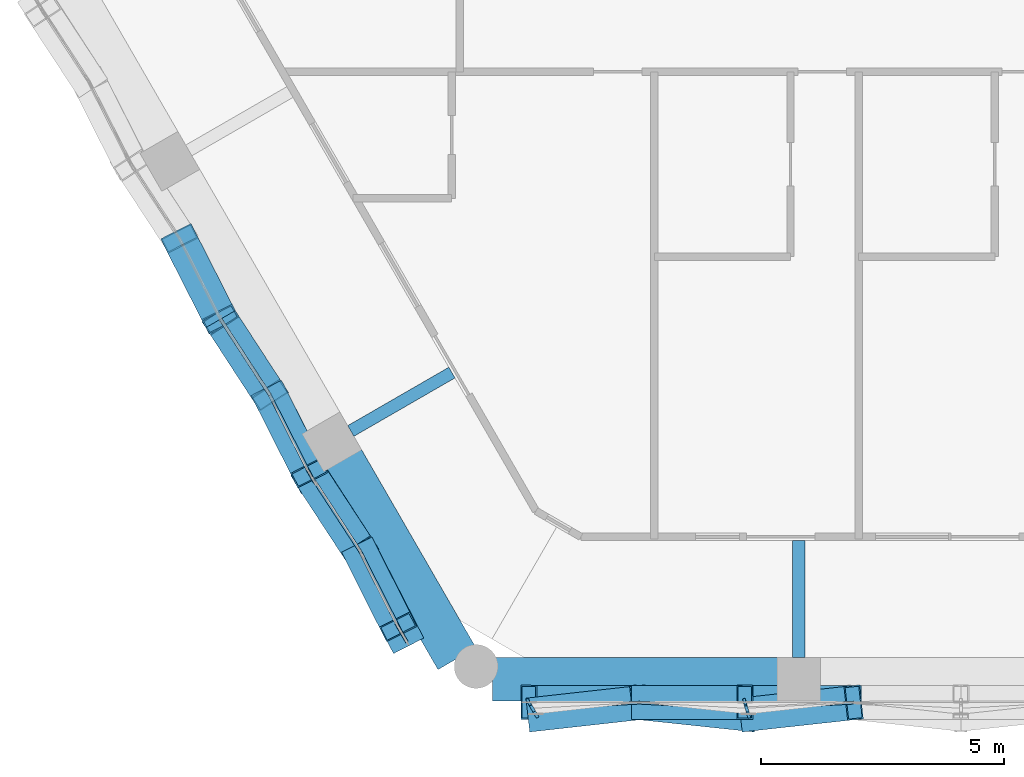
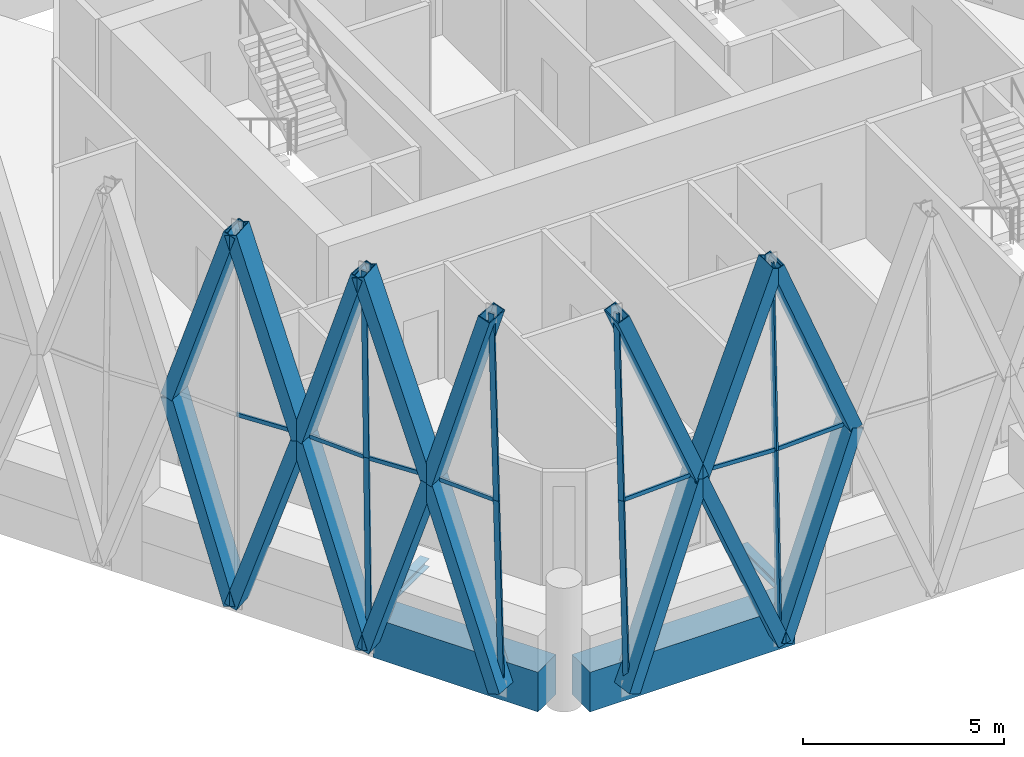
# One storey, part 2 of 22: 31 members, 4 beams, 4 elements without a shape of their own.
"""IFC4 building model written with IfcOpenShell, lengths in metres."""

from ifc_helpers import new_model, si_unit, direction, frame, origin, origin_2d, place, context, subcontext, project, spatial, rectangle, hollow_rectangle, i_section, extrude, material, material_profile, profile_set, type_object, element, aggregate, save


model = new_model("IFC4")

# Units and contexts
model_context = context("Model", 3, precision=1e-05, world=origin(), true_north=direction((0.0, 1.0)))
body_context = subcontext(model_context, "Body", "Model", "MODEL_VIEW")
ifc_project = project(units=[si_unit("LENGTHUNIT", "METRE"), si_unit("AREAUNIT", "SQUARE_METRE"), si_unit("VOLUMEUNIT", "CUBIC_METRE"), si_unit("PLANEANGLEUNIT", "RADIAN"), si_unit("MASSUNIT", "GRAM", prefix="KILO")], contexts=[model_context])

# Site, building, storey
site_placement = place(None, origin())
site = spatial("IfcSite", under=ifc_project, at=site_placement, CompositionType="ELEMENT")
building_placement = place(site_placement, origin())
building = spatial("IfcBuilding", under=site, at=building_placement, Name="Ostrander Bayou Hotel Tower", CompositionType="ELEMENT")
storey_placement = place(building_placement, frame((0.0, 0.0, 245.0)))
storey = spatial("IfcBuildingStorey", under=building, at=storey_placement, Name="L60", CompositionType="ELEMENT", Elevation=245.0)

# Curtain wall, members
ifc_material_1 = material(Name="Aluminium and clear glass", Category="aluminium")
curtain_wall_type = type_object("IfcCurtainWallType", Name="CW-LAT lattice glazing", PredefinedType="NOTDEFINED", material=ifc_material_1)
curtain_wall_1_placement = place(storey_placement, origin())
curtain_wall_1 = element("IfcCurtainWall", 1, at=curtain_wall_1_placement, inside=storey, type_object=curtain_wall_type, Name="CW-LAT L60 SW 1", PredefinedType="NOTDEFINED")
ifc_material_2 = material(Name="Aluminium", Category="aluminium")
ifc_material_profile_1 = material_profile(ifc_material_2, hollow_rectangle(XDim=0.06005859375, YDim=0.159912109375, WallThickness=0.00390625, at=origin_2d()))
ifc_profile_set_1 = profile_set([ifc_material_profile_1], Name="Aluminium")
member_type_1 = type_object("IfcMemberType", Name="CW-LA mullion 60 x 160 mm", PredefinedType="MULLION", material=ifc_profile_set_1)
member_1_placement = place(storey_placement, frame((-13.320068359375, -12.069091796875, -0.60009765625), z_axis=(-0.00629290177, 0.010936629283, 0.999920391595), x_axis=(-0.866757633554, -0.498729590736, 0.0)))
member_1 = element("IfcMember", 2, at=member_1_placement, type_object=member_type_1, Name="CW-LAT mullion 12", PredefinedType="MULLION", context=body_context, shape_type="SweptSolid", body=[
    extrude(hollow_rectangle(XDim=0.06005859375, YDim=0.159912109375, WallThickness=0.00390625, at=origin_2d()), origin(), (0.0, 0.0, 1.0), 5.62548828125),
])
member_2_placement = place(storey_placement, frame((-13.35546875, -12.007568359375, 5.02490234375), z_axis=(-0.006292904751, 0.010893235121, 0.999920865258), x_axis=(-0.865898279276, -0.500220121494, 0.0)))
member_2 = element("IfcMember", 3, at=member_2_placement, type_object=member_type_1, Name="CW-LAT mullion 13", PredefinedType="MULLION", context=body_context, shape_type="SweptSolid", body=[
    extrude(hollow_rectangle(XDim=0.06005859375, YDim=0.159912109375, WallThickness=0.00390625, at=origin_2d()), origin(), (0.0, 0.0, 1.0), 5.62548828125),
])
member_3_placement = place(storey_placement, frame((-11.424072265625, -15.35302734375, -0.60009765625), z_axis=(-0.012582810856, 0.021824668484, 0.999682627996), x_axis=(-0.866328918095, -0.499473928922, 0.0)))
member_3 = element("IfcMember", 4, at=member_3_placement, type_object=member_type_1, Name="CW-LAT mullion 16", PredefinedType="MULLION", context=body_context, shape_type="SweptSolid", body=[
    extrude(hollow_rectangle(XDim=0.06005859375, YDim=0.159912109375, WallThickness=0.00390625, at=origin_2d()), origin(), (0.0, 0.0, 1.0), 5.626708984375),
])
member_4_placement = place(storey_placement, frame((-11.494873046875, -15.230224609375, 5.02490234375), z_axis=(-0.012626192954, 0.021824656549, 0.999682081273), x_axis=(-0.865583332221, -0.500764909893, 0.0)))
member_4 = element("IfcMember", 5, at=member_4_placement, type_object=member_type_1, Name="CW-LAT mullion 17", PredefinedType="MULLION", context=body_context, shape_type="SweptSolid", body=[
    extrude(hollow_rectangle(XDim=0.06005859375, YDim=0.159912109375, WallThickness=0.00390625, at=origin_2d()), origin(), (0.0, 0.0, 1.0), 5.626708984375),
])
aggregate(curtain_wall_1, [member_1, member_2, member_3, member_4])

curtain_wall_2_placement = place(storey_placement, origin())
curtain_wall_2 = element("IfcCurtainWall", 6, at=curtain_wall_2_placement, inside=storey, type_object=curtain_wall_type, Name="CW-LAT L60 S 1", PredefinedType="NOTDEFINED")
member_5_placement = place(storey_placement, frame((-8.73681640625, -16.904541015625, -0.60009765625), z_axis=(-0.012582810856, 0.021824668484, 0.999682627996), x_axis=(-0.866328918095, -0.499473928922, 0.0)))
member_5 = element("IfcMember", 7, at=member_5_placement, type_object=member_type_1, Name="CW-LAT mullion 1", PredefinedType="MULLION", context=body_context, shape_type="SweptSolid", body=[
    extrude(hollow_rectangle(XDim=0.06005859375, YDim=0.159912109375, WallThickness=0.00390625, at=origin_2d()), origin(), (0.0, 0.0, 1.0), 5.626708984375),
])
member_6_placement = place(storey_placement, frame((-8.8076171875, -16.78173828125, 5.02490234375), z_axis=(-0.012582810856, 0.021824668484, 0.999682627996), x_axis=(-0.866328918095, -0.499473928922, 0.0)))
member_6 = element("IfcMember", 8, at=member_6_placement, type_object=member_type_1, Name="CW-LAT mullion 2", PredefinedType="MULLION", context=body_context, shape_type="SweptSolid", body=[
    extrude(hollow_rectangle(XDim=0.06005859375, YDim=0.159912109375, WallThickness=0.00390625, at=origin_2d()), origin(), (0.0, 0.0, 1.0), 5.626708984375),
])
member_7_placement = place(storey_placement, frame((-4.368408203125, -16.904541015625, -0.60009765625), z_axis=(-0.006291778999, 0.021825964389, 0.999741987112), x_axis=(-0.960872490948, -0.276991075919, 0.0)))
member_7 = element("IfcMember", 9, at=member_7_placement, type_object=member_type_1, Name="CW-LAT mullion 4", PredefinedType="MULLION", context=body_context, shape_type="SweptSolid", body=[
    extrude(hollow_rectangle(XDim=0.06005859375, YDim=0.159912109375, WallThickness=0.00390625, at=origin_2d()), origin(), (0.0, 0.0, 1.0), 5.62646484375),
])
member_8_placement = place(storey_placement, frame((-4.40380859375, -16.78173828125, 5.02490234375), z_axis=(-0.006291778999, 0.021825964389, 0.999741987112), x_axis=(-0.960872490948, -0.276991075919, 0.0)))
member_8 = element("IfcMember", 10, at=member_8_placement, type_object=member_type_1, Name="CW-LAT mullion 5", PredefinedType="MULLION", context=body_context, shape_type="SweptSolid", body=[
    extrude(hollow_rectangle(XDim=0.06005859375, YDim=0.159912109375, WallThickness=0.00390625, at=origin_2d()), origin(), (0.0, 0.0, 1.0), 5.62646484375),
])
aggregate(curtain_wall_2, [member_5, member_6, member_7, member_8])

curtain_wall_3_placement = place(storey_placement, origin())
curtain_wall_3 = element("IfcCurtainWall", 11, at=curtain_wall_3_placement, inside=storey, type_object=curtain_wall_type, Name="CW-LAT L60 SW 2", PredefinedType="NOTDEFINED")
ifc_material_3 = material(Name="Aluminium", Category="aluminium")
ifc_material_profile_2 = material_profile(ifc_material_3, hollow_rectangle(XDim=0.06005859375, YDim=0.1201171875, WallThickness=0.00390625, at=origin_2d()))
ifc_profile_set_2 = profile_set([ifc_material_profile_2], Name="Aluminium")
member_type_2 = type_object("IfcMemberType", Name="CW-LA transom 60 x 120 mm", PredefinedType="USERDEFINED", material=ifc_profile_set_2)
member_9_placement = place(storey_placement, frame((-15.216064453125, -8.784912109375, 5.02490234375), z_axis=(0.545444198624, -0.838147138746, 0.0), x_axis=(0.838147138746, 0.545444198624, 0.0)))
member_9 = element("IfcMember", 12, at=member_9_placement, type_object=member_type_2, Name="CW-LAT transom 11", ObjectType="TRANSOM", PredefinedType="USERDEFINED", context=body_context, shape_type="SweptSolid", body=[
    extrude(hollow_rectangle(XDim=0.06005859375, YDim=0.1201171875, WallThickness=0.00390625, at=origin_2d()), origin(), (0.0, 0.0, 1.0), 1.86328125),
])
member_10_placement = place(storey_placement, frame((-13.35546875, -12.007568359375, 5.02490234375), z_axis=(-0.453126671976, 0.891446139228, 0.0), x_axis=(-0.891446139228, -0.453126671976, 0.0)))
member_10 = element("IfcMember", 13, at=member_10_placement, type_object=member_type_2, Name="CW-LAT transom 14", ObjectType="TRANSOM", PredefinedType="USERDEFINED", context=body_context, shape_type="SweptSolid", body=[
    extrude(hollow_rectangle(XDim=0.06005859375, YDim=0.1201171875, WallThickness=0.00390625, at=origin_2d()), origin(), (0.0, 0.0, 1.0), 1.863037109375),
])
member_11_placement = place(storey_placement, frame((-13.35546875, -12.007568359375, 5.02490234375), z_axis=(0.545504102111, -0.838108152078, 0.0), x_axis=(0.838108152078, 0.545504102111, 0.0)))
member_11 = element("IfcMember", 14, at=member_11_placement, type_object=member_type_2, Name="CW-LAT transom 15", ObjectType="TRANSOM", PredefinedType="USERDEFINED", context=body_context, shape_type="SweptSolid", body=[
    extrude(hollow_rectangle(XDim=0.06005859375, YDim=0.1201171875, WallThickness=0.00390625, at=origin_2d()), origin(), (0.0, 0.0, 1.0), 1.863037109375),
])
member_12_placement = place(storey_placement, frame((-11.494873046875, -15.230224609375, 5.02490234375), z_axis=(-0.453073746448, 0.89147303957, 0.0), x_axis=(-0.89147303957, -0.453073746448, 0.0)))
member_12 = element("IfcMember", 15, at=member_12_placement, type_object=member_type_2, Name="CW-LAT transom 18", ObjectType="TRANSOM", PredefinedType="USERDEFINED", context=body_context, shape_type="SweptSolid", body=[
    extrude(hollow_rectangle(XDim=0.06005859375, YDim=0.1201171875, WallThickness=0.00390625, at=origin_2d()), origin(), (0.0, 0.0, 1.0), 1.86328125),
])
aggregate(curtain_wall_3, [member_9, member_10, member_11, member_12])

curtain_wall_4_placement = place(storey_placement, origin())
curtain_wall_4 = element("IfcCurtainWall", 16, at=curtain_wall_4_placement, inside=storey, type_object=curtain_wall_type, Name="CW-LAT L60 S 2", PredefinedType="NOTDEFINED")
member_13_placement = place(storey_placement, frame((-8.8076171875, -16.78173828125, 5.02490234375), z_axis=(0.998650666784, 0.051931163402, 0.0), x_axis=(-0.051931163402, 0.998650666784, 0.0)))
member_13 = element("IfcMember", 17, at=member_13_placement, type_object=member_type_2, Name="CW-LAT transom 3", ObjectType="TRANSOM", PredefinedType="USERDEFINED", context=body_context, shape_type="SweptSolid", body=[
    extrude(hollow_rectangle(XDim=0.06005859375, YDim=0.1201171875, WallThickness=0.00390625, at=origin_2d()), origin(), (0.0, 0.0, 1.0), 2.204833984375),
])
member_14_placement = place(storey_placement, frame((-4.40380859375, -16.78173828125, 5.02490234375), z_axis=(-0.998650666784, 0.051931163402, 0.0), x_axis=(-0.051931163402, -0.998650666784, 0.0)))
member_14 = element("IfcMember", 18, at=member_14_placement, type_object=member_type_2, Name="CW-LAT transom 6", ObjectType="TRANSOM", PredefinedType="USERDEFINED", context=body_context, shape_type="SweptSolid", body=[
    extrude(hollow_rectangle(XDim=0.06005859375, YDim=0.1201171875, WallThickness=0.00390625, at=origin_2d()), origin(), (0.0, 0.0, 1.0), 2.204833984375),
])
member_15_placement = place(storey_placement, frame((-4.40380859375, -16.78173828125, 5.02490234375), z_axis=(0.998650666784, 0.051931163402, 0.0), x_axis=(-0.051931163402, 0.998650666784, 0.0)))
member_15 = element("IfcMember", 19, at=member_15_placement, type_object=member_type_2, Name="CW-LAT transom 7", ObjectType="TRANSOM", PredefinedType="USERDEFINED", context=body_context, shape_type="SweptSolid", body=[
    extrude(hollow_rectangle(XDim=0.06005859375, YDim=0.1201171875, WallThickness=0.00390625, at=origin_2d()), origin(), (0.0, 0.0, 1.0), 2.204833984375),
])
aggregate(curtain_wall_4, [member_13, member_14, member_15])

# Beams
ifc_material_4 = material(Name="Steel ASTM A992", Category="steel")
ifc_material_profile_3 = material_profile(ifc_material_4, i_section(OverallWidth=0.25390625, OverallDepth=0.25341796875, WebThickness=0.008544921875, FlangeThickness=0.01416015625, at=origin_2d()))
ifc_profile_set_3 = profile_set([ifc_material_profile_3], Name="Steel ASTM A992")
beam_type_1 = type_object("IfcBeamType", Name="LB2 loggia bracket W10x49", PredefinedType="BEAM", material=ifc_profile_set_3)
beam_1_placement = place(storey_placement, frame((-12.5380859375, -11.083251953125, -0.4267578125), z_axis=(0.866024647952, 0.500001309137, 0.0), x_axis=(-0.500001309137, 0.866024647952, 0.0)))
element("IfcBeam", 20, at=beam_1_placement, inside=storey, type_object=beam_type_1, Name="LB2 L60 SW2", PredefinedType="BEAM", context=body_context, shape_type="SweptSolid", body=[
    extrude(i_section(OverallWidth=0.25390625, OverallDepth=0.25341796875, WebThickness=0.008544921875, FlangeThickness=0.01416015625, at=origin_2d()), origin(), (0.0, 0.0, 1.0), 2.39990234375),
])
beam_2_placement = place(storey_placement, frame((-3.329345703125, -15.734619140625, -0.4267578125), z_axis=(0.0, 1.0, 0.0), x_axis=(-1.0, 0.0, 0.0)))
element("IfcBeam", 21, at=beam_2_placement, inside=storey, type_object=beam_type_1, Name="LB2 L60 S1", PredefinedType="BEAM", context=body_context, shape_type="SweptSolid", body=[
    extrude(i_section(OverallWidth=0.25390625, OverallDepth=0.25341796875, WebThickness=0.008544921875, FlangeThickness=0.01416015625, at=origin_2d()), origin(), (0.0, 0.0, 1.0), 2.400146484375),
])

# Members
ifc_material_5 = material(Name="Steel ASTM A572 Gr 50", Category="steel")
ifc_material_profile_4 = material_profile(ifc_material_5, hollow_rectangle(XDim=0.699951171875, YDim=0.35009765625, WallThickness=0.02490234375, at=origin_2d()))
ifc_profile_set_4 = profile_set([ifc_material_profile_4], Name="Steel ASTM A572 Gr 50")
member_type_3 = type_object("IfcMemberType", Name="LT1 lattice member box 700 x 350 x 25 mm", PredefinedType="BRACE", material=ifc_profile_set_4)
for number, where, z_axis, x_axis, name in (
    (22, (-16.060302734375, -7.1240234375, 5.02490234375), (0.142474711453, -0.280293655875, -0.949282056647), (0.891446139228, 0.453126671976, 0.0), "LT1 L60 SW 7"),
    (23, (-16.060302734375, -7.1240234375, 5.02490234375), (0.142474711453, -0.280293655875, 0.949282056647), (0.891446139228, 0.453126671976, 0.0), "LT1 L60 SW 8"),
    (24, (-14.19970703125, -10.3466796875, 5.02490234375), (-0.17151977291, 0.263562812228, -0.949271094847), (-0.838147138746, -0.545444198624, 0.0), "LT1 L60 SW 9"),
    (25, (-14.19970703125, -10.3466796875, 5.02490234375), (-0.17151977291, 0.263562812228, 0.949271094847), (-0.838147138746, -0.545444198624, 0.0), "LT1 L60 SW 10"),
):
    element("IfcMember", number, at=place(storey_placement, frame(where, z_axis=z_axis, x_axis=x_axis)), inside=storey, type_object=member_type_3, Name=name, PredefinedType="BRACE", context=body_context, shape_type="SweptSolid", body=[
        extrude(hollow_rectangle(XDim=0.699951171875, YDim=0.35009765625, WallThickness=0.02490234375, at=origin_2d()), origin(), (0.0, 0.0, 1.0), 5.925537109375),
    ])
member_16_placement = place(storey_placement, frame((-14.19970703125, -10.3466796875, 5.02490234375), z_axis=(0.147883150311, -0.2895685888, -0.945664108568), x_axis=(0.890582419243, 0.454821893201, 0.0)))
element("IfcMember", 26, at=member_16_placement, inside=storey, type_object=member_type_3, Name="LT1 L60 SW 11", PredefinedType="BRACE", context=body_context, shape_type="SweptSolid", body=[
    extrude(hollow_rectangle(XDim=0.699951171875, YDim=0.35009765625, WallThickness=0.02490234375, at=origin_2d()), origin(), (0.0, 0.0, 1.0), 5.9482421875),
])
member_17_placement = place(storey_placement, frame((-14.19970703125, -10.3466796875, 5.02490234375), z_axis=(0.137005406206, -0.270950625253, 0.952793407484), x_axis=(0.892402299809, 0.451240662281, 0.0)))
element("IfcMember", 27, at=member_17_placement, inside=storey, type_object=member_type_3, Name="LT1 L60 SW 12", PredefinedType="BRACE", context=body_context, shape_type="SweptSolid", body=[
    extrude(hollow_rectangle(XDim=0.699951171875, YDim=0.35009765625, WallThickness=0.02490234375, at=origin_2d()), origin(), (0.0, 0.0, 1.0), 5.90380859375),
])
member_18_placement = place(storey_placement, frame((-12.339111328125, -13.569091796875, 5.02490234375), z_axis=(-0.166161541966, 0.254080765017, -0.952802868814), x_axis=(-0.83692161695, -0.547322763168, 0.0)))
element("IfcMember", 28, at=member_18_placement, inside=storey, type_object=member_type_3, Name="LT1 L60 SW 13", PredefinedType="BRACE", context=body_context, shape_type="SweptSolid", body=[
    extrude(hollow_rectangle(XDim=0.699951171875, YDim=0.35009765625, WallThickness=0.02490234375, at=origin_2d()), origin(), (0.0, 0.0, 1.0), 5.903564453125),
])
member_19_placement = place(storey_placement, frame((-12.339111328125, -13.569091796875, 5.02490234375), z_axis=(-0.176821447188, 0.272825478054, 0.945674592203), x_axis=(-0.839166857956, -0.543874052064, 0.0)))
element("IfcMember", 29, at=member_19_placement, inside=storey, type_object=member_type_3, Name="LT1 L60 SW 14", PredefinedType="BRACE", context=body_context, shape_type="SweptSolid", body=[
    extrude(hollow_rectangle(XDim=0.699951171875, YDim=0.35009765625, WallThickness=0.02490234375, at=origin_2d()), origin(), (0.0, 0.0, 1.0), 5.9482421875),
])
member_20_placement = place(storey_placement, frame((-12.339111328125, -13.569091796875, 5.02490234375), z_axis=(0.153231075086, -0.298735182938, -0.941954100847), x_axis=(0.889776890266, 0.456395755401, 0.0)))
element("IfcMember", 30, at=member_20_placement, inside=storey, type_object=member_type_3, Name="LT1 L60 SW 15", PredefinedType="BRACE", context=body_context, shape_type="SweptSolid", body=[
    extrude(hollow_rectangle(XDim=0.699951171875, YDim=0.35009765625, WallThickness=0.02490234375, at=origin_2d()), origin(), (0.0, 0.0, 1.0), 5.9716796875),
])
member_21_placement = place(storey_placement, frame((-12.339111328125, -13.569091796875, 5.02490234375), z_axis=(0.131437484346, -0.261505395916, 0.956210811284), x_axis=(0.893489344554, 0.449084392034, 0.0)))
element("IfcMember", 31, at=member_21_placement, inside=storey, type_object=member_type_3, Name="LT1 L60 SW 16", PredefinedType="BRACE", context=body_context, shape_type="SweptSolid", body=[
    extrude(hollow_rectangle(XDim=0.699951171875, YDim=0.35009765625, WallThickness=0.02490234375, at=origin_2d()), origin(), (0.0, 0.0, 1.0), 5.882568359375),
])
member_22_placement = place(storey_placement, frame((-6.605712890625, -16.667236328125, 5.02490234375), z_axis=(-0.354012987574, -0.039420394538, -0.93440935201), x_axis=(0.110668956321, -0.993857324824, 0.0)))
element("IfcMember", 32, at=member_22_placement, inside=storey, type_object=member_type_3, Name="LT1 L60 S 1", PredefinedType="BRACE", context=body_context, shape_type="SweptSolid", body=[
    extrude(hollow_rectangle(XDim=0.699951171875, YDim=0.35009765625, WallThickness=0.02490234375, at=origin_2d()), origin(), (0.0, 0.0, 1.0), 6.019775390625),
])
member_23_placement = place(storey_placement, frame((-6.605712890625, -16.667236328125, 5.02490234375), z_axis=(-0.374614398759, 0.00136823392, 0.927179691418), x_axis=(-0.003652355057, -0.999993330129, 0.0)))
element("IfcMember", 33, at=member_23_placement, inside=storey, type_object=member_type_3, Name="LT1 L60 S 2", PredefinedType="BRACE", context=body_context, shape_type="SweptSolid", body=[
    extrude(hollow_rectangle(XDim=0.699951171875, YDim=0.35009765625, WallThickness=0.02490234375, at=origin_2d()), origin(), (0.0, 0.0, 1.0), 6.06689453125),
])
member_24_placement = place(storey_placement, frame((-6.605712890625, -16.667236328125, 5.02490234375), z_axis=(0.369298447368, -0.039170459498, -0.928484965885), x_axis=(0.105475565458, 0.994421894917, 0.0)))
element("IfcMember", 34, at=member_24_placement, inside=storey, type_object=member_type_3, Name="LT1 L60 S 3", PredefinedType="BRACE", context=body_context, shape_type="SweptSolid", body=[
    extrude(hollow_rectangle(XDim=0.699951171875, YDim=0.35009765625, WallThickness=0.02490234375, at=origin_2d()), origin(), (0.0, 0.0, 1.0), 6.058349609375),
])
member_25_placement = place(storey_placement, frame((-6.605712890625, -16.667236328125, 5.02490234375), z_axis=(0.359418379895, 0.001377081915, 0.933175509665), x_axis=(-0.003831389503, 0.9999926602, 0.0)))
element("IfcMember", 35, at=member_25_placement, inside=storey, type_object=member_type_3, Name="LT1 L60 S 4", PredefinedType="BRACE", context=body_context, shape_type="SweptSolid", body=[
    extrude(hollow_rectangle(XDim=0.699951171875, YDim=0.35009765625, WallThickness=0.02490234375, at=origin_2d()), origin(), (0.0, 0.0, 1.0), 6.02783203125),
])
member_26_placement = place(storey_placement, frame((-2.201904296875, -16.667236328125, 5.02490234375), z_axis=(-0.359140518013, -0.039337906638, -0.932454083279), x_axis=(0.108882254168, -0.994054653793, 0.0)))
element("IfcMember", 36, at=member_26_placement, inside=storey, type_object=member_type_3, Name="LT1 L60 S 5", PredefinedType="BRACE", context=body_context, shape_type="SweptSolid", body=[
    extrude(hollow_rectangle(XDim=0.699951171875, YDim=0.35009765625, WallThickness=0.02490234375, at=origin_2d()), origin(), (0.0, 0.0, 1.0), 6.032470703125),
])
member_27_placement = place(storey_placement, frame((-2.201904296875, -16.667236328125, 5.02490234375), z_axis=(-0.369581738258, 0.001371211163, 0.929197211859), x_axis=(-0.003710144696, -0.999993117389, 0.0)))
element("IfcMember", 37, at=member_27_placement, inside=storey, type_object=member_type_3, Name="LT1 L60 S 6", PredefinedType="BRACE", context=body_context, shape_type="SweptSolid", body=[
    extrude(hollow_rectangle(XDim=0.699951171875, YDim=0.35009765625, WallThickness=0.02490234375, at=origin_2d()), origin(), (0.0, 0.0, 1.0), 6.0537109375),
])

# Beams
ifc_material_6 = material(Name="Concrete f'c 60 MPa", Category="concrete")
ifc_material_profile_5 = material_profile(ifc_material_6, rectangle(XDim=0.89990234375, YDim=1.199951171875, at=origin_2d()))
ifc_profile_set_5 = profile_set([ifc_material_profile_5], Name="Concrete f'c 60 MPa")
beam_type_2 = type_object("IfcBeamType", Name="SP4 spandrel beam 900 x 1200 mm f'c 60 MPa", PredefinedType="SPANDREL", material=ifc_profile_set_5)
beam_3_placement = place(storey_placement, frame((-12.7177734375, -11.672119140625, -0.60009765625), z_axis=(0.500002852929, -0.866023756639, 0.0), x_axis=(0.866023756639, 0.500002852929, 0.0)))
element("IfcBeam", 38, at=beam_3_placement, inside=storey, type_object=beam_type_2, Name="SP4 L60 SW-3", PredefinedType="SPANDREL", context=body_context, shape_type="SweptSolid", body=[
    extrude(rectangle(XDim=0.89990234375, YDim=1.199951171875, at=origin_2d()), origin(), (0.0, 0.0, 1.0), 4.72314453125),
])
beam_4_placement = place(storey_placement, frame((-9.62548828125, -16.1845703125, -0.60009765625), z_axis=(1.0, 0.0, 0.0), x_axis=(0.0, 1.0, 0.0)))
element("IfcBeam", 39, at=beam_4_placement, inside=storey, type_object=beam_type_2, Name="SP4 L60 S-1", PredefinedType="SPANDREL", context=body_context, shape_type="SweptSolid", body=[
    extrude(rectangle(XDim=0.89990234375, YDim=1.199951171875, at=origin_2d()), origin(), (0.0, 0.0, 1.0), 5.8759765625),
])

save(model, "model.ifc")
